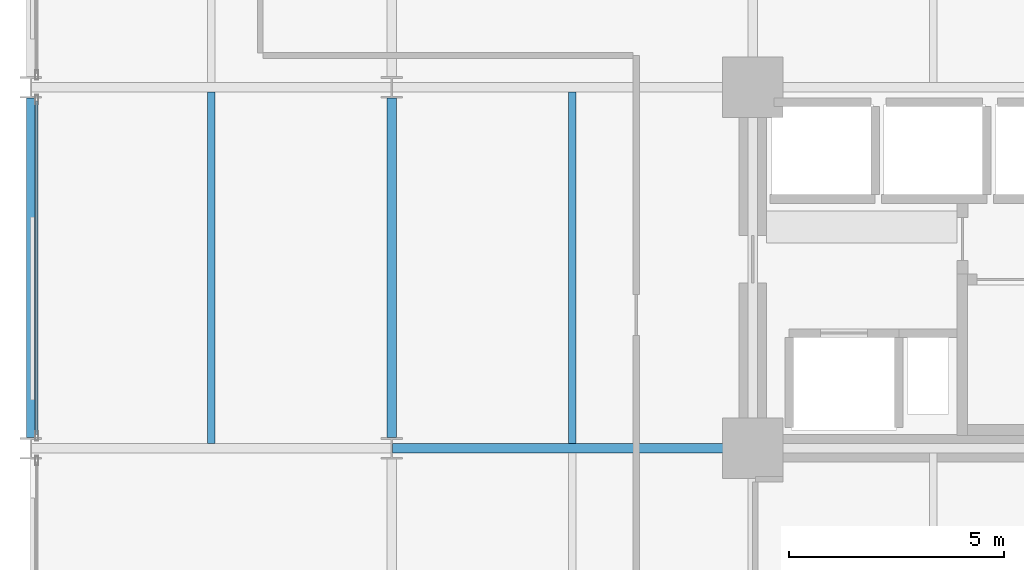
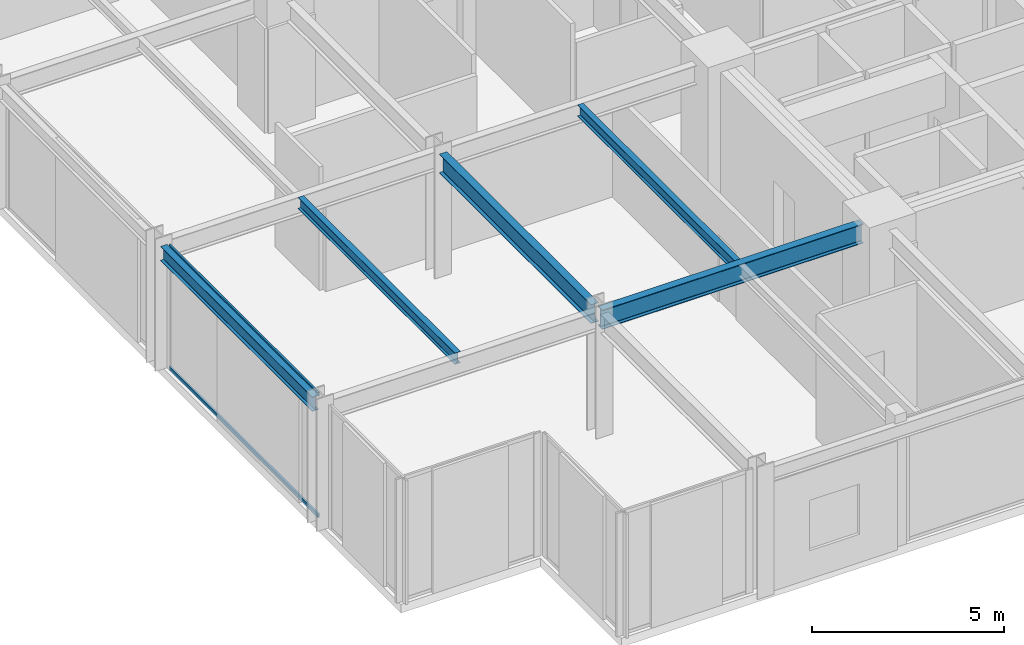
# One storey, part 3 of 24: 5 beams, 2 members, 1 element without a shape of its own.
"""IFC4 building model written with IfcOpenShell, lengths in metres."""

from ifc_helpers import new_model, si_unit, direction, frame, origin, origin_2d, place, context, subcontext, project, spatial, hollow_rectangle, i_section, extrude, material, layer, layer_set, material_profile, profile_set, type_object, element, aggregate, save


model = new_model("IFC4")

# Units and contexts
model_context = context("Model", 3, precision=1e-05, world=origin(), true_north=direction((0.0, 1.0)))
body_context = subcontext(model_context, "Body", "Model", "MODEL_VIEW")
ifc_project = project(units=[si_unit("LENGTHUNIT", "METRE"), si_unit("AREAUNIT", "SQUARE_METRE"), si_unit("VOLUMEUNIT", "CUBIC_METRE"), si_unit("PLANEANGLEUNIT", "RADIAN"), si_unit("MASSUNIT", "GRAM", prefix="KILO")], contexts=[model_context])

# Site, building, storey
site_placement = place(None, origin())
site = spatial("IfcSite", under=ifc_project, at=site_placement, CompositionType="ELEMENT")
building_placement = place(site_placement, origin())
building = spatial("IfcBuilding", under=site, at=building_placement, Name="Nerrivon Quay Data Exchange", CompositionType="ELEMENT")
storey_placement = place(building_placement, frame((0.0, 0.0, 33.199951171875)))
storey = spatial("IfcBuildingStorey", under=building, at=storey_placement, Name="L07", CompositionType="ELEMENT", Elevation=33.199951171875)

# Beams
ifc_material_1 = material(Name="Steel Grade 350", Category="steel")
ifc_material_profile_1 = material_profile(ifc_material_1, i_section(OverallWidth=0.22900390625, OverallDepth=0.612060546875, WebThickness=0.011962890625, FlangeThickness=0.01953125, FilletRadius=0.013916015625, at=origin_2d()), Name="610UB125")
ifc_profile_set_1 = profile_set([ifc_material_profile_1], Name="Steel Grade 350")
beam_type_1 = type_object("IfcBeamType", Name="BM-G1-610UB125", PredefinedType="BEAM", material=ifc_profile_set_1)
beam_1_placement = place(storey_placement, frame((8.4140625, 8.39990234375, 3.619140625), z_axis=(1.0, 0.0, 0.0), x_axis=(0.0, 1.0, 0.0)))
element("IfcBeam", 1, at=beam_1_placement, inside=storey, type_object=beam_type_1, Name="L07 EW Girder Y=8.4 (8.4..16.8)", PredefinedType="BEAM", context=body_context, shape_type="SweptSolid", body=[
    extrude(i_section(OverallWidth=0.22900390625, OverallDepth=0.612060546875, WebThickness=0.011962890625, FlangeThickness=0.01953125, FilletRadius=0.013916015625, at=origin_2d()), origin(), (0.0, 0.0, 1.0), 7.845947265625),
])
ifc_material_profile_2 = material_profile(ifc_material_1, i_section(OverallWidth=0.22802734375, OverallDepth=0.60205078125, WebThickness=0.010498046875, FlangeThickness=0.014892578125, FilletRadius=0.013916015625, at=origin_2d()), Name="610UB101")
ifc_profile_set_2 = profile_set([ifc_material_profile_2], Name="Steel Grade 350")
beam_type_2 = type_object("IfcBeamType", Name="BM-G2-610UB101", PredefinedType="BEAM", material=ifc_profile_set_2)
beam_2_placement = place(storey_placement, frame((8.39990234375, 8.64990234375, 3.6240234375), z_axis=(0.0, 1.0, 0.0), x_axis=(-1.0, 0.0, 0.0)))
element("IfcBeam", 2, at=beam_2_placement, inside=storey, type_object=beam_type_2, Name="L07 NS Girder X=8.4 (8.4..16.8)", PredefinedType="BEAM", context=body_context, shape_type="SweptSolid", body=[
    extrude(i_section(OverallWidth=0.22802734375, OverallDepth=0.60205078125, WebThickness=0.010498046875, FlangeThickness=0.014892578125, FilletRadius=0.013916015625, at=origin_2d()), origin(), (0.0, 0.0, 1.0), 7.900146484375),
])
ifc_material_profile_3 = material_profile(ifc_material_1, i_section(OverallWidth=0.172119140625, OverallDepth=0.35888671875, WebThickness=0.008056640625, FlangeThickness=0.012939453125, FilletRadius=0.011474609375, at=origin_2d()), Name="360UB56.7")
ifc_profile_set_3 = profile_set([ifc_material_profile_3], Name="Steel Grade 350")
beam_type_3 = type_object("IfcBeamType", Name="BM-J3-360UB57", PredefinedType="JOIST", material=ifc_profile_set_3)
for number, where, z_axis, x_axis, name in (
    (3, (4.199951171875, 8.514404296875, 3.74560546875), (0.0, 1.0, 0.0), (-1.0, 0.0, 0.0), "L07 Secondary Joist X=4.2 (8.4..16.8)"),
    (4, (12.60009765625, 8.514404296875, 3.74560546875), (0.0, 1.0, 0.0), (-1.0, 0.0, 0.0), "L07 Secondary Joist X=12.6 (8.4..16.8)"),
):
    element("IfcBeam", number, at=place(storey_placement, frame(where, z_axis=z_axis, x_axis=x_axis)), inside=storey, type_object=beam_type_3, Name=name, PredefinedType="JOIST", context=body_context, shape_type="SweptSolid", body=[
        extrude(i_section(OverallWidth=0.172119140625, OverallDepth=0.35888671875, WebThickness=0.008056640625, FlangeThickness=0.012939453125, FilletRadius=0.011474609375, at=origin_2d()), origin(), (0.0, 0.0, 1.0), 8.171142578125),
    ])
ifc_material_profile_4 = material_profile(ifc_material_1, i_section(OverallWidth=0.18994140625, OverallDepth=0.4541015625, WebThickness=0.008544921875, FlangeThickness=0.0126953125, FilletRadius=0.011474609375, at=origin_2d()), Name="460UB67.1")
ifc_profile_set_4 = profile_set([ifc_material_profile_4], Name="Steel Grade 350")
beam_type_4 = type_object("IfcBeamType", Name="BM-SP1-460UB67", PredefinedType="SPANDREL", material=ifc_profile_set_4)
beam_3_placement = place(storey_placement, frame((0.0, 8.64990234375, 3.697998046875), z_axis=(0.0, 1.0, 0.0), x_axis=(-1.0, 0.0, 0.0)))
element("IfcBeam", 5, at=beam_3_placement, inside=storey, type_object=beam_type_4, Name="L07 NS Girder X=0.0 (8.4..16.8)", PredefinedType="SPANDREL", context=body_context, shape_type="SweptSolid", body=[
    extrude(i_section(OverallWidth=0.18994140625, OverallDepth=0.4541015625, WebThickness=0.008544921875, FlangeThickness=0.0126953125, FilletRadius=0.011474609375, at=origin_2d()), origin(), (0.0, 0.0, 1.0), 7.900146484375),
])

# Curtain wall, members
ifc_material_2 = material(Name="Anodised aluminium 6063-T6", Category="aluminium")
ifc_layer = layer(ifc_material_2, 0.219970703125)
ifc_layer_set = layer_set([ifc_layer], Name="Anodised aluminium 6063-T6")
curtain_wall_type = type_object("IfcCurtainWallType", Name="CW-SYS-01", PredefinedType="NOTDEFINED", material=ifc_layer_set)
curtain_wall_placement = place(storey_placement, origin())
curtain_wall = element("IfcCurtainWall", 6, at=curtain_wall_placement, inside=storey, type_object=curtain_wall_type, Name="L07 Unitised Curtain Wall 14", PredefinedType="NOTDEFINED")
ifc_material_profile_5 = material_profile(ifc_material_2, hollow_rectangle(XDim=0.06005859375, YDim=0.1201171875, WallThickness=0.003173828125, at=origin_2d()), Name="ALU-TRAN-120x60")
ifc_profile_set_5 = profile_set([ifc_material_profile_5], Name="Anodised aluminium 6063-T6")
member_type = type_object("IfcMemberType", Name="CWT-120x60", PredefinedType="USERDEFINED", material=ifc_profile_set_5)
member_1_placement = place(storey_placement, frame((0.139892578125, 8.72509765625, 0.032470703125), z_axis=(0.0, 1.0, 0.0), x_axis=(-1.0, 0.0, 0.0)))
member_1 = element("IfcMember", 7, at=member_1_placement, type_object=member_type, Name="CW01 transom 1.1", ObjectType="TRANSOM", PredefinedType="USERDEFINED", context=body_context, shape_type="SweptSolid", body=[
    extrude(hollow_rectangle(XDim=0.06005859375, YDim=0.1201171875, WallThickness=0.003173828125, at=origin_2d()), origin(), (0.0, 0.0, 1.0), 7.75),
])
member_2_placement = place(storey_placement, frame((0.139892578125, 8.72509765625, 3.892578125), z_axis=(0.0, 1.0, 0.0), x_axis=(-1.0, 0.0, 0.0)))
member_2 = element("IfcMember", 8, at=member_2_placement, type_object=member_type, Name="CW01 transom 1.2", ObjectType="TRANSOM", PredefinedType="USERDEFINED", context=body_context, shape_type="SweptSolid", body=[
    extrude(hollow_rectangle(XDim=0.06005859375, YDim=0.1201171875, WallThickness=0.003173828125, at=origin_2d()), origin(), (0.0, 0.0, 1.0), 7.75),
])
aggregate(curtain_wall, [member_1, member_2])

save(model, "model.ifc")
